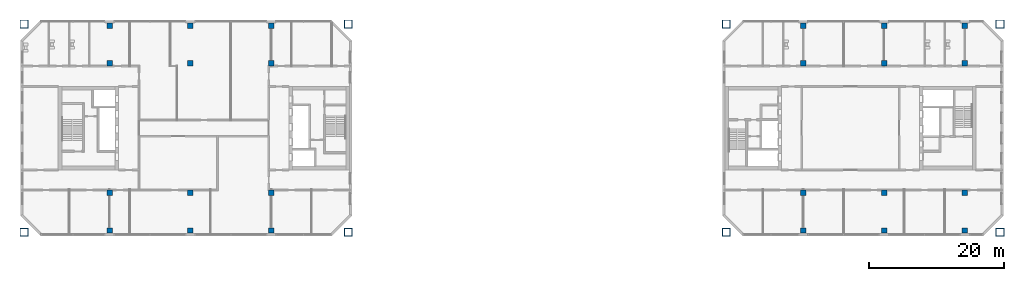
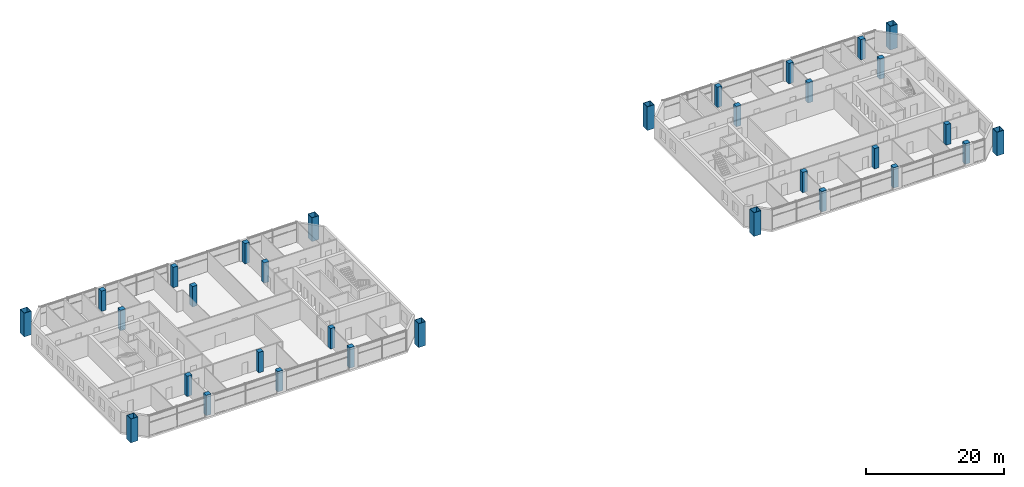
# One storey, part 1 of 17: 32 columns.
"""IFC4 building model written with IfcOpenShell, lengths in metres."""

from ifc_helpers import new_model, si_unit, direction, frame, origin, origin_2d, place, context, subcontext, project, spatial, rectangle, hollow_rectangle, extrude, material, material_profile, profile_set, type_object, element, save


model = new_model("IFC4")

# Units and contexts
model_context = context("Model", 3, precision=1e-05, world=origin(), true_north=direction((0.0, 1.0)))
body_context = subcontext(model_context, "Body", "Model", "MODEL_VIEW")
ifc_project = project(units=[si_unit("LENGTHUNIT", "METRE"), si_unit("AREAUNIT", "SQUARE_METRE"), si_unit("VOLUMEUNIT", "CUBIC_METRE"), si_unit("PLANEANGLEUNIT", "RADIAN"), si_unit("MASSUNIT", "GRAM", prefix="KILO")], contexts=[model_context])

# Site, building, storey
site_placement = place(None, origin())
site = spatial("IfcSite", under=ifc_project, at=site_placement, CompositionType="ELEMENT")
building_placement = place(site_placement, origin())
building = spatial("IfcBuilding", under=site, at=building_placement, Name="Tuart Gate Housing", CompositionType="ELEMENT")
storey_placement = place(building_placement, frame((0.0, 0.0, 119.5)))
storey = spatial("IfcBuildingStorey", under=building, at=storey_placement, Name="L33", CompositionType="ELEMENT", Elevation=119.5)

# Columns
ifc_material_1 = material(Name="Steel Grade 350", Category="steel")
ifc_material_profile_1 = material_profile(ifc_material_1, hollow_rectangle(XDim=1.199951171875, YDim=1.199951171875, WallThickness=0.06494140625, at=origin_2d()), Name="BOX 1200x1200x65")
ifc_profile_set_1 = profile_set([ifc_material_profile_1], Name="Steel Grade 350")
column_type_1 = type_object("IfcColumnType", Name="Mega column BOX 1200x1200x65", PredefinedType="COLUMN", material=ifc_profile_set_1)
for number, where, z_axis, x_axis, name in (
    (1, (27.300048828125, 54.550048828125, 0.0), (0.0, 0.0, 1.0), (1.0, 0.0, 0.0), "Mega column A south-west L33"),
    (2, (75.449951171875, 54.550048828125, 0.0), (0.0, 0.0, 1.0), (1.0, 0.0, 0.0), "Mega column A south-east L33"),
    (3, (75.449951171875, 85.449951171875, 0.0), (0.0, 0.0, 1.0), (1.0, 0.0, 0.0), "Mega column A north-east L33"),
    (4, (27.300048828125, 85.449951171875, 0.0), (0.0, 0.0, 1.0), (1.0, 0.0, 0.0), "Mega column A north-west L33"),
    (5, (131.550048828125, 54.550048828125, 0.0), (0.0, 0.0, 1.0), (1.0, 0.0, 0.0), "Mega column B south-west L33"),
    (6, (172.199951171875, 54.550048828125, 0.0), (0.0, 0.0, 1.0), (1.0, 0.0, 0.0), "Mega column B south-east L33"),
    (7, (172.199951171875, 85.449951171875, 0.0), (0.0, 0.0, 1.0), (1.0, 0.0, 0.0), "Mega column B north-east L33"),
    (8, (131.550048828125, 85.449951171875, 0.0), (0.0, 0.0, 1.0), (1.0, 0.0, 0.0), "Mega column B north-west L33"),
):
    element("IfcColumn", number, at=place(storey_placement, frame(where, z_axis=z_axis, x_axis=x_axis)), inside=storey, type_object=column_type_1, Name=name, PredefinedType="COLUMN", context=body_context, shape_type="SweptSolid", body=[
        extrude(hollow_rectangle(XDim=1.199951171875, YDim=1.199951171875, WallThickness=0.06494140625, at=origin_2d()), origin(), (0.0, 0.0, 1.0), 4.199951171875),
    ])
ifc_material_2 = material(Name="Concrete C50", Category="concrete")
ifc_material_profile_2 = material_profile(ifc_material_2, rectangle(XDim=0.800048828125, YDim=0.800048828125, at=origin_2d()), Name="RC column 800 x 800")
ifc_profile_set_2 = profile_set([ifc_material_profile_2], Name="Concrete C50")
column_type_2 = type_object("IfcColumnType", Name="RC column 800 x 800", PredefinedType="COLUMN", material=ifc_profile_set_2)
for number, where, z_axis, x_axis, name in (
    (9, (40.0, 54.800048828125, 0.0), (0.0, 0.0, 1.0), (1.0, 0.0, 0.0), "RC column 9 L33"),
    (10, (40.0, 60.39990234375, 0.0), (0.0, 0.0, 1.0), (1.0, 0.0, 0.0), "RC column 12 L33"),
    (11, (40.0, 79.60009765625, 0.0), (0.0, 0.0, 1.0), (1.0, 0.0, 0.0), "RC column 13 L33"),
    (12, (40.0, 85.199951171875, 0.0), (0.0, 0.0, 1.0), (1.0, 0.0, 0.0), "RC column 16 L33"),
    (13, (52.0, 54.800048828125, 0.0), (0.0, 0.0, 1.0), (1.0, 0.0, 0.0), "RC column 17 L33"),
    (14, (52.0, 60.39990234375, 0.0), (0.0, 0.0, 1.0), (1.0, 0.0, 0.0), "RC column 18 L33"),
    (15, (52.0, 79.60009765625, 0.0), (0.0, 0.0, 1.0), (1.0, 0.0, 0.0), "RC column 19 L33"),
    (16, (52.0, 85.199951171875, 0.0), (0.0, 0.0, 1.0), (1.0, 0.0, 0.0), "RC column 20 L33"),
    (17, (64.0, 54.800048828125, 0.0), (0.0, 0.0, 1.0), (1.0, 0.0, 0.0), "RC column 21 L33"),
    (18, (64.0, 60.39990234375, 0.0), (0.0, 0.0, 1.0), (1.0, 0.0, 0.0), "RC column 22 L33"),
    (19, (64.0, 79.60009765625, 0.0), (0.0, 0.0, 1.0), (1.0, 0.0, 0.0), "RC column 23 L33"),
    (20, (64.0, 85.199951171875, 0.0), (0.0, 0.0, 1.0), (1.0, 0.0, 0.0), "RC column 24 L33"),
    (21, (143.0, 54.800048828125, 0.0), (0.0, 0.0, 1.0), (1.0, 0.0, 0.0), "RC column 25 L33"),
    (22, (143.0, 60.39990234375, 0.0), (0.0, 0.0, 1.0), (1.0, 0.0, 0.0), "RC column 26 L33"),
    (23, (143.0, 79.60009765625, 0.0), (0.0, 0.0, 1.0), (1.0, 0.0, 0.0), "RC column 27 L33"),
    (24, (143.0, 85.199951171875, 0.0), (0.0, 0.0, 1.0), (1.0, 0.0, 0.0), "RC column 28 L33"),
    (25, (155.0, 54.800048828125, 0.0), (0.0, 0.0, 1.0), (1.0, 0.0, 0.0), "RC column 29 L33"),
    (26, (155.0, 60.39990234375, 0.0), (0.0, 0.0, 1.0), (1.0, 0.0, 0.0), "RC column 30 L33"),
    (27, (155.0, 79.60009765625, 0.0), (0.0, 0.0, 1.0), (1.0, 0.0, 0.0), "RC column 31 L33"),
    (28, (155.0, 85.199951171875, 0.0), (0.0, 0.0, 1.0), (1.0, 0.0, 0.0), "RC column 32 L33"),
    (29, (167.0, 54.800048828125, 0.0), (0.0, 0.0, 1.0), (1.0, 0.0, 0.0), "RC column 33 L33"),
    (30, (167.0, 60.39990234375, 0.0), (0.0, 0.0, 1.0), (1.0, 0.0, 0.0), "RC column 36 L33"),
    (31, (167.0, 79.60009765625, 0.0), (0.0, 0.0, 1.0), (1.0, 0.0, 0.0), "RC column 37 L33"),
    (32, (167.0, 85.199951171875, 0.0), (0.0, 0.0, 1.0), (1.0, 0.0, 0.0), "RC column 40 L33"),
):
    element("IfcColumn", number, at=place(storey_placement, frame(where, z_axis=z_axis, x_axis=x_axis)), inside=storey, type_object=column_type_2, Name=name, PredefinedType="COLUMN", context=body_context, shape_type="SweptSolid", body=[
        extrude(rectangle(XDim=0.800048828125, YDim=0.800048828125, at=origin_2d()), origin(), (0.0, 0.0, 1.0), 3.60009765625),
    ])

save(model, "model.ifc")
